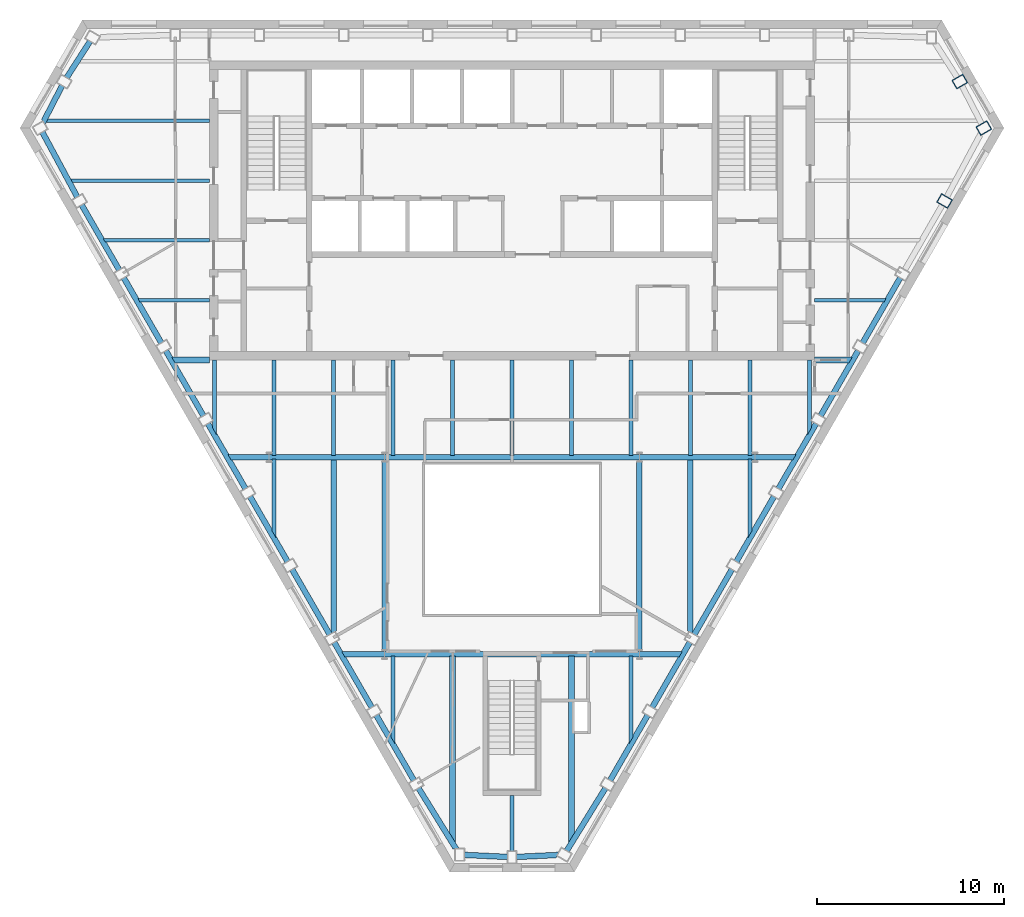
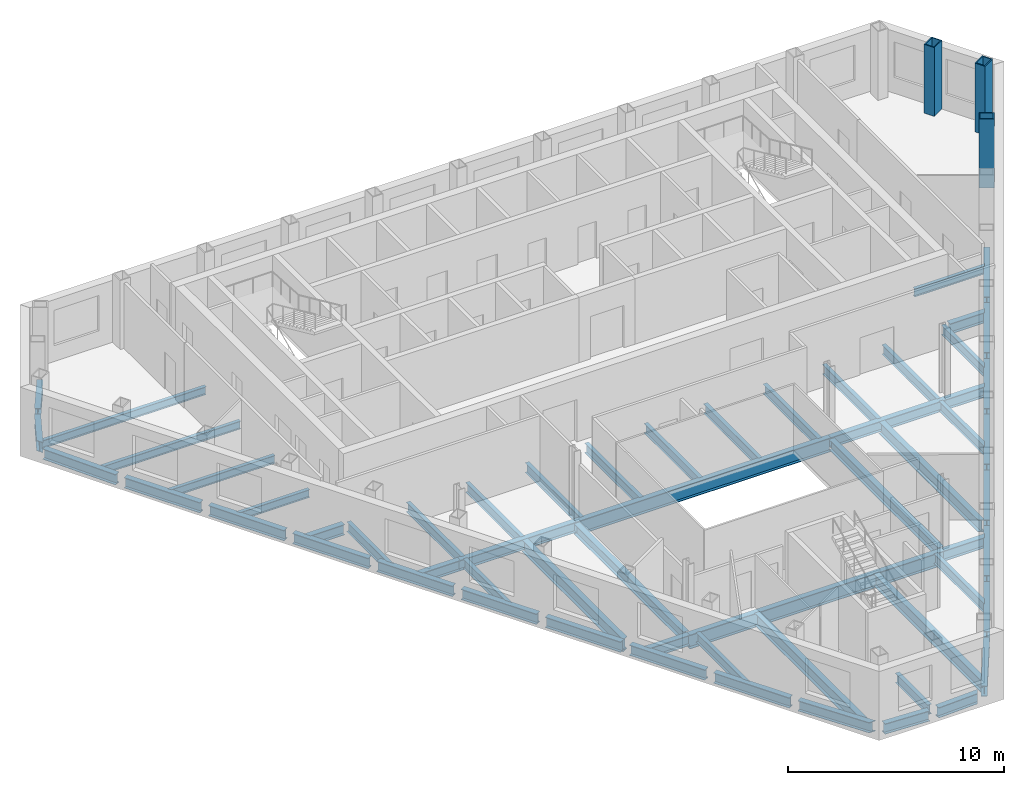
# One storey, part 2 of 10: 59 beams, 3 columns.
"""IFC4 building model written with IfcOpenShell, lengths in metres."""

from ifc_helpers import new_model, si_unit, direction, frame, origin, origin_2d, place, context, subcontext, project, spatial, hollow_rectangle, i_section, extrude, clip, halfspace, material, material_profile, profile_set, type_object, element, save


model = new_model("IFC4")

# Units and contexts
model_context = context("Model", 3, precision=1e-05, world=origin(), true_north=direction((0.0, 1.0)))
body_context = subcontext(model_context, "Body", "Model", "MODEL_VIEW")
ifc_project = project(units=[si_unit("LENGTHUNIT", "METRE"), si_unit("AREAUNIT", "SQUARE_METRE"), si_unit("VOLUMEUNIT", "CUBIC_METRE"), si_unit("PLANEANGLEUNIT", "RADIAN"), si_unit("MASSUNIT", "GRAM", prefix="KILO")], contexts=[model_context])

# Site, building, storey
site_placement = place(None, origin())
site = spatial("IfcSite", under=ifc_project, at=site_placement, CompositionType="ELEMENT")
building_placement = place(site_placement, origin())
building = spatial("IfcBuilding", under=site, at=building_placement, Name="Njiva Tower", CompositionType="ELEMENT")
storey_placement = place(building_placement, frame((0.0, 0.0, 231.6)))
storey = spatial("IfcBuildingStorey", under=building, at=storey_placement, Name="L52", CompositionType="ELEMENT", Elevation=231.6)

# Columns
ifc_material = material(Name="Steel S355 J2", Category="steel")
ifc_material_profile_1 = material_profile(ifc_material, hollow_rectangle(XDim=0.55, YDim=0.7, WallThickness=0.05, at=origin_2d()), Name="BOX 700x550x50")
ifc_profile_set_1 = profile_set([ifc_material_profile_1], Name="Steel S355 J2")
column_type = type_object("IfcColumnType", Name="C11 Perimeter tube column BOX 700x550x50", PredefinedType="COLUMN", material=ifc_profile_set_1)
for number, where, z_axis, x_axis, name in (
    (1, (23.158, 10.512, 0.0), (0.0, 0.0, 1.0), (0.5, 0.866025403784, 0.0), "Perimeter tube column S17-C34"),
    (2, (25.258, 14.415, 0.0), (0.0, 0.0, 1.0), (-0.5, 0.866025403784, 0.0), "Perimeter tube column S17-C35"),
    (3, (23.972, 16.907, 0.0), (0.0, 0.0, 1.0), (-0.5, 0.866025403784, 0.0), "Perimeter tube column S17-C36"),
):
    element("IfcColumn", number, at=place(storey_placement, frame(where, z_axis=z_axis, x_axis=x_axis)), inside=storey, type_object=column_type, Name=name, PredefinedType="COLUMN", context=body_context, shape_type="SweptSolid", body=[
        extrude(hollow_rectangle(XDim=0.55, YDim=0.7, WallThickness=0.05, at=origin_2d()), origin(), (0.0, 0.0, 1.0), 3.9),
    ])

# Beams
ifc_material_profile_2 = material_profile(ifc_material, i_section(OverallWidth=0.3, OverallDepth=0.69, WebThickness=0.0145, FlangeThickness=0.027, at=origin_2d()), Name="HEA 700")
ifc_profile_set_2 = profile_set([ifc_material_profile_2], Name="Steel S355 J2")
beam_type_1 = type_object("IfcBeamType", Name="B12 Long-span floor joist HEA 700", PredefinedType="JOIST", material=ifc_profile_set_2)
beam_1_placement = place(storey_placement, frame((-3.183, -13.85, -0.545), z_axis=(0.0, -1.0, 0.0), x_axis=(1.0, 0.0, 0.0)))
element("IfcBeam", 4, at=beam_1_placement, inside=storey, type_object=beam_type_1, Name="Long-span floor joist S17-B056", PredefinedType="JOIST", context=body_context, shape_type="Clipping", body=[
    clip(extrude(i_section(OverallWidth=0.3, OverallDepth=0.69, WebThickness=0.0145, FlangeThickness=0.027, at=origin_2d()), origin(), (0.0, 0.0, 1.0), 10.012), halfspace(frame((-0.0429, 0.0, 9.7533), z_axis=(-0.850615955969, 0.0, 0.525787500281), x_axis=(0.0, 1.0, 0.0)), False)),
])
beam_2_placement = place(storey_placement, frame((3.183, -13.85, -0.545), z_axis=(0.0, -1.0, 0.0), x_axis=(1.0, 0.0, 0.0)))
element("IfcBeam", 5, at=beam_2_placement, inside=storey, type_object=beam_type_1, Name="Long-span floor joist S17-B061", PredefinedType="JOIST", context=body_context, shape_type="Clipping", body=[
    clip(extrude(i_section(OverallWidth=0.3, OverallDepth=0.69, WebThickness=0.0145, FlangeThickness=0.027, at=origin_2d()), origin(), (0.0, 0.0, 1.0), 10.012), halfspace(frame((0.0429, 0.0, 9.7533), z_axis=(0.850615955969, 0.0, 0.525787500281), x_axis=(0.0, 1.0, 0.0)), False)),
])
ifc_material_profile_3 = material_profile(ifc_material, i_section(OverallWidth=0.3, OverallDepth=0.69, WebThickness=0.0145, FlangeThickness=0.027, at=origin_2d()), Name="HEA 700")
ifc_profile_set_3 = profile_set([ifc_material_profile_3], Name="Steel S355 J2")
beam_type_2 = type_object("IfcBeamType", Name="B26 Floor joist HEA 700", PredefinedType="JOIST", material=ifc_profile_set_3)
beam_3_placement = place(storey_placement, frame((-9.55, -3.3, -0.545), z_axis=(0.0, -1.0, 0.0), x_axis=(1.0, 0.0, 0.0)))
element("IfcBeam", 6, at=beam_3_placement, inside=storey, type_object=beam_type_2, Name="Floor joist S17-B052", PredefinedType="JOIST", context=body_context, shape_type="Clipping", body=[
    clip(extrude(i_section(OverallWidth=0.3, OverallDepth=0.69, WebThickness=0.0145, FlangeThickness=0.027, at=origin_2d()), origin(), (0.0, 0.0, 1.0), 9.375), halfspace(frame((0.025, 0.0, 9.28), z_axis=(0.499998009787, 0.0, 0.866026552831), x_axis=(0.0, 1.0, 0.0)), False)),
])
beam_4_placement = place(storey_placement, frame((9.55, -3.3, -0.545), z_axis=(0.0, -1.0, 0.0), x_axis=(1.0, 0.0, 0.0)))
element("IfcBeam", 7, at=beam_4_placement, inside=storey, type_object=beam_type_2, Name="Floor joist S17-B066", PredefinedType="JOIST", context=body_context, shape_type="Clipping", body=[
    clip(extrude(i_section(OverallWidth=0.3, OverallDepth=0.69, WebThickness=0.0145, FlangeThickness=0.027, at=origin_2d()), origin(), (0.0, 0.0, 1.0), 9.375), halfspace(frame((-0.025, 0.0, 9.28), z_axis=(-0.499998009787, 0.0, 0.866026552831), x_axis=(0.0, 1.0, 0.0)), False)),
])
ifc_material_profile_4 = material_profile(ifc_material, i_section(OverallWidth=0.3, OverallDepth=0.59, WebThickness=0.013, FlangeThickness=0.025, at=origin_2d()), Name="HEA 600")
ifc_profile_set_4 = profile_set([ifc_material_profile_4], Name="Steel S355 J2")
beam_type_3 = type_object("IfcBeamType", Name="B27 Short-span spandrel beam HEA 600", PredefinedType="SPANDREL", material=ifc_profile_set_4)
beam_5_placement = place(storey_placement, frame((-22.581, 19.072, -0.495), z_axis=(-0.540628086502, -0.841261714382, 0.0), x_axis=(0.841261714382, -0.540628086502, 0.0)))
element("IfcBeam", 8, at=beam_5_placement, inside=storey, type_object=beam_type_3, Name="Short-span spandrel beam S17-B082", PredefinedType="SPANDREL", context=body_context, shape_type="SweptSolid", body=[
    extrude(i_section(OverallWidth=0.3, OverallDepth=0.59, WebThickness=0.013, FlangeThickness=0.025, at=origin_2d()), origin(), (0.0, 0.0, 1.0), 2.3417),
])
beam_6_placement = place(storey_placement, frame((-24.078, 16.701, -0.495), z_axis=(-0.458367092714, -0.888762965203, 0.0), x_axis=(0.888762965203, -0.458367092714, 0.0)))
element("IfcBeam", 9, at=beam_6_placement, inside=storey, type_object=beam_type_3, Name="Short-span spandrel beam S17-B079", PredefinedType="SPANDREL", context=body_context, shape_type="Clipping", body=[
    clip(extrude(i_section(OverallWidth=0.3, OverallDepth=0.59, WebThickness=0.013, FlangeThickness=0.025, at=origin_2d()), origin(), (0.0, 0.0, 1.0), 2.3326), halfspace(frame((-0.0275, 0.0, 2.1989), z_axis=(-0.54050969293, 0.0, 0.841337787008), x_axis=(0.0, 1.0, 0.0)), False)),
])
beam_7_placement = place(storey_placement, frame((-25.149, 14.214, -0.495), z_axis=(0.473784701047, -0.880640708265, 0.0), x_axis=(0.880640708265, 0.473784701047, 0.0)))
element("IfcBeam", 10, at=beam_7_placement, inside=storey, type_object=beam_type_3, Name="Short-span spandrel beam S17-B078", PredefinedType="SPANDREL", context=body_context, shape_type="SweptSolid", body=[
    extrude(i_section(OverallWidth=0.3, OverallDepth=0.59, WebThickness=0.013, FlangeThickness=0.025, at=origin_2d()), origin(), (0.0, 0.0, 1.0), 3.9744),
])
for number, where, z_axis, x_axis, name in (
    (11, (-23.045, 10.317, -0.495), (0.499957196903, -0.866050114754, 0.0), (0.866050114754, 0.499957196903, 0.0), "Short-span spandrel beam S17-B083"),
    (12, (-20.792, 6.414, -0.495), (0.499957196903, -0.866050114754, 0.0), (0.866050114754, 0.499957196903, 0.0), "Short-span spandrel beam S17-B087"),
):
    element("IfcBeam", number, at=place(storey_placement, frame(where, z_axis=z_axis, x_axis=x_axis)), inside=storey, type_object=beam_type_3, Name=name, PredefinedType="SPANDREL", context=body_context, shape_type="SweptSolid", body=[
        extrude(i_section(OverallWidth=0.3, OverallDepth=0.59, WebThickness=0.013, FlangeThickness=0.025, at=origin_2d()), origin(), (0.0, 0.0, 1.0), 4.0563),
    ])
beam_8_placement = place(storey_placement, frame((-18.539, 2.511, -0.495), z_axis=(0.500063959222, -0.865988473761, 0.0), x_axis=(0.865988473761, 0.500063959222, 0.0)))
element("IfcBeam", 13, at=beam_8_placement, inside=storey, type_object=beam_type_3, Name="Short-span spandrel beam S17-B089", PredefinedType="SPANDREL", context=body_context, shape_type="SweptSolid", body=[
    extrude(i_section(OverallWidth=0.3, OverallDepth=0.59, WebThickness=0.013, FlangeThickness=0.025, at=origin_2d()), origin(), (0.0, 0.0, 1.0), 4.0555),
])
beam_9_placement = place(storey_placement, frame((-16.286, -1.391, -0.495), z_axis=(0.500142068684, -0.865943364853, 0.0), x_axis=(0.865943364853, 0.500142068684, 0.0)))
element("IfcBeam", 14, at=beam_9_placement, inside=storey, type_object=beam_type_3, Name="Short-span spandrel beam S17-B093", PredefinedType="SPANDREL", context=body_context, shape_type="SweptSolid", body=[
    extrude(i_section(OverallWidth=0.3, OverallDepth=0.59, WebThickness=0.013, FlangeThickness=0.025, at=origin_2d()), origin(), (0.0, 0.0, 1.0), 4.0568),
])
for number, where, z_axis, x_axis, name in (
    (15, (-14.032, -5.294, -0.495), (0.499957196903, -0.866050114754, 0.0), (0.866050114754, 0.499957196903, 0.0), "Short-span spandrel beam S17-B095"),
    (16, (-11.779, -9.197, -0.495), (0.499957196903, -0.866050114754, 0.0), (0.866050114754, 0.499957196903, 0.0), "Short-span spandrel beam S17-B098"),
):
    element("IfcBeam", number, at=place(storey_placement, frame(where, z_axis=z_axis, x_axis=x_axis)), inside=storey, type_object=beam_type_3, Name=name, PredefinedType="SPANDREL", context=body_context, shape_type="SweptSolid", body=[
        extrude(i_section(OverallWidth=0.3, OverallDepth=0.59, WebThickness=0.013, FlangeThickness=0.025, at=origin_2d()), origin(), (0.0, 0.0, 1.0), 4.0563),
    ])
beam_10_placement = place(storey_placement, frame((-9.526, -13.1, -0.495), z_axis=(0.500142068684, -0.865943364853, 0.0), x_axis=(0.865943364853, 0.500142068684, 0.0)))
element("IfcBeam", 17, at=beam_10_placement, inside=storey, type_object=beam_type_3, Name="Short-span spandrel beam S17-B100", PredefinedType="SPANDREL", context=body_context, shape_type="SweptSolid", body=[
    extrude(i_section(OverallWidth=0.3, OverallDepth=0.59, WebThickness=0.013, FlangeThickness=0.025, at=origin_2d()), origin(), (0.0, 0.0, 1.0), 4.0568),
])
beam_11_placement = place(storey_placement, frame((-7.272, -17.003, -0.495), z_axis=(0.499957196903, -0.866050114754, 0.0), x_axis=(0.866050114754, 0.499957196903, 0.0)))
element("IfcBeam", 18, at=beam_11_placement, inside=storey, type_object=beam_type_3, Name="Short-span spandrel beam S17-B103", PredefinedType="SPANDREL", context=body_context, shape_type="SweptSolid", body=[
    extrude(i_section(OverallWidth=0.3, OverallDepth=0.59, WebThickness=0.013, FlangeThickness=0.025, at=origin_2d()), origin(), (0.0, 0.0, 1.0), 4.0563),
])
beam_12_placement = place(storey_placement, frame((-5.011, -20.906, -0.495), z_axis=(0.525835767898, -0.850586118626, 0.0), x_axis=(0.850586118626, 0.525835767898, 0.0)))
element("IfcBeam", 19, at=beam_12_placement, inside=storey, type_object=beam_type_3, Name="Short-span spandrel beam S17-B105", PredefinedType="SPANDREL", context=body_context, shape_type="Clipping", body=[
    clip(extrude(i_section(OverallWidth=0.3, OverallDepth=0.59, WebThickness=0.013, FlangeThickness=0.025, at=origin_2d()), origin(), (0.0, 0.0, 1.0), 3.9621), halfspace(frame((-0.0263, 0.0, 3.8329), z_axis=(-0.525835767898, 0.0, 0.850586118626), x_axis=(0.0, 1.0, 0.0)), False)),
])
beam_13_placement = place(storey_placement, frame((-2.57, -24.491, -0.495), z_axis=(0.998855542787, -0.047828910129, 0.0), x_axis=(0.047828910129, 0.998855542787, 0.0)))
element("IfcBeam", 20, at=beam_13_placement, inside=storey, type_object=beam_type_3, Name="Short-span spandrel beam S17-B109", PredefinedType="SPANDREL", context=body_context, shape_type="SweptSolid", body=[
    extrude(i_section(OverallWidth=0.3, OverallDepth=0.59, WebThickness=0.013, FlangeThickness=0.025, at=origin_2d()), origin(), (0.0, 0.0, 1.0), 2.3417),
])
beam_14_placement = place(storey_placement, frame((0.231, -24.603, -0.495), z_axis=(0.99885585607, 0.047822367093, 0.0), x_axis=(-0.047822367093, 0.99885585607, 0.0)))
element("IfcBeam", 21, at=beam_14_placement, inside=storey, type_object=beam_type_3, Name="Short-span spandrel beam S17-B111", PredefinedType="SPANDREL", context=body_context, shape_type="Clipping", body=[
    clip(extrude(i_section(OverallWidth=0.3, OverallDepth=0.59, WebThickness=0.013, FlangeThickness=0.025, at=origin_2d()), origin(), (0.0, 0.0, 1.0), 2.3325), halfspace(frame((-0.0274, 0.0, 2.1987), z_axis=(-0.540841379821, 0.0, 0.841124605438), x_axis=(0.0, 1.0, 0.0)), False)),
])
beam_15_placement = place(storey_placement, frame((2.922, -24.286, -0.495), z_axis=(0.525739328555, 0.850645730261, 0.0), x_axis=(-0.850645730261, 0.525739328555, 0.0)))
element("IfcBeam", 22, at=beam_15_placement, inside=storey, type_object=beam_type_3, Name="Short-span spandrel beam S17-B114", PredefinedType="SPANDREL", context=body_context, shape_type="SweptSolid", body=[
    extrude(i_section(OverallWidth=0.3, OverallDepth=0.59, WebThickness=0.013, FlangeThickness=0.025, at=origin_2d()), origin(), (0.0, 0.0, 1.0), 3.9735),
])
beam_16_placement = place(storey_placement, frame((5.244, -20.516, -0.495), z_axis=(0.499957196903, 0.866050114754, 0.0), x_axis=(-0.866050114754, 0.499957196903, 0.0)))
element("IfcBeam", 23, at=beam_16_placement, inside=storey, type_object=beam_type_3, Name="Short-span spandrel beam S17-B117", PredefinedType="SPANDREL", context=body_context, shape_type="SweptSolid", body=[
    extrude(i_section(OverallWidth=0.3, OverallDepth=0.59, WebThickness=0.013, FlangeThickness=0.025, at=origin_2d()), origin(), (0.0, 0.0, 1.0), 4.0563),
])
beam_17_placement = place(storey_placement, frame((7.497, -16.613, -0.495), z_axis=(0.500142068684, 0.865943364853, 0.0), x_axis=(-0.865943364853, 0.500142068684, 0.0)))
element("IfcBeam", 24, at=beam_17_placement, inside=storey, type_object=beam_type_3, Name="Short-span spandrel beam S17-B119", PredefinedType="SPANDREL", context=body_context, shape_type="SweptSolid", body=[
    extrude(i_section(OverallWidth=0.3, OverallDepth=0.59, WebThickness=0.013, FlangeThickness=0.025, at=origin_2d()), origin(), (0.0, 0.0, 1.0), 4.0568),
])
for number, where, z_axis, x_axis, name in (
    (25, (9.751, -12.71, -0.495), (0.499957196903, 0.866050114754, 0.0), (-0.866050114754, 0.499957196903, 0.0), "Short-span spandrel beam S17-B122"),
    (26, (12.004, -8.807, -0.495), (0.499957196903, 0.866050114754, 0.0), (-0.866050114754, 0.499957196903, 0.0), "Short-span spandrel beam S17-B124"),
):
    element("IfcBeam", number, at=place(storey_placement, frame(where, z_axis=z_axis, x_axis=x_axis)), inside=storey, type_object=beam_type_3, Name=name, PredefinedType="SPANDREL", context=body_context, shape_type="SweptSolid", body=[
        extrude(i_section(OverallWidth=0.3, OverallDepth=0.59, WebThickness=0.013, FlangeThickness=0.025, at=origin_2d()), origin(), (0.0, 0.0, 1.0), 4.0563),
    ])
beam_18_placement = place(storey_placement, frame((14.257, -4.904, -0.495), z_axis=(0.500142068684, 0.865943364853, 0.0), x_axis=(-0.865943364853, 0.500142068684, 0.0)))
element("IfcBeam", 27, at=beam_18_placement, inside=storey, type_object=beam_type_3, Name="Short-span spandrel beam S17-B128", PredefinedType="SPANDREL", context=body_context, shape_type="SweptSolid", body=[
    extrude(i_section(OverallWidth=0.3, OverallDepth=0.59, WebThickness=0.013, FlangeThickness=0.025, at=origin_2d()), origin(), (0.0, 0.0, 1.0), 4.0568),
])
beam_19_placement = place(storey_placement, frame((16.511, -1.001, -0.495), z_axis=(0.500063959222, 0.865988473761, 0.0), x_axis=(-0.865988473761, 0.500063959222, 0.0)))
element("IfcBeam", 28, at=beam_19_placement, inside=storey, type_object=beam_type_3, Name="Short-span spandrel beam S17-B130", PredefinedType="SPANDREL", context=body_context, shape_type="SweptSolid", body=[
    extrude(i_section(OverallWidth=0.3, OverallDepth=0.59, WebThickness=0.013, FlangeThickness=0.025, at=origin_2d()), origin(), (0.0, 0.0, 1.0), 4.0555),
])
beam_20_placement = place(storey_placement, frame((18.764, 2.901, -0.495), z_axis=(0.499957196903, 0.866050114754, 0.0), x_axis=(-0.866050114754, 0.499957196903, 0.0)))
element("IfcBeam", 29, at=beam_20_placement, inside=storey, type_object=beam_type_3, Name="Short-span spandrel beam S17-B134", PredefinedType="SPANDREL", context=body_context, shape_type="SweptSolid", body=[
    extrude(i_section(OverallWidth=0.3, OverallDepth=0.59, WebThickness=0.013, FlangeThickness=0.025, at=origin_2d()), origin(), (0.0, 0.0, 1.0), 4.0563),
])
ifc_material_profile_5 = material_profile(ifc_material, i_section(OverallWidth=0.3, OverallDepth=0.59, WebThickness=0.013, FlangeThickness=0.025, at=origin_2d()), Name="HEA 600")
ifc_profile_set_5 = profile_set([ifc_material_profile_5], Name="Steel S355 J2")
beam_type_4 = type_object("IfcBeamType", Name="B28 Floor girder HEA 600", PredefinedType="BEAM", material=ifc_profile_set_5)
for number, where, z_axis, x_axis, name in (
    (30, (-13.0, -3.2, -0.495), (1.0, 0.0, 0.0), (0.0, 1.0, 0.0), "Floor girder S17-B013"),
    (31, (6.82, -3.2, -0.495), (1.0, 0.0, 0.0), (0.0, 1.0, 0.0), "Floor girder S17-B016"),
):
    element("IfcBeam", number, at=place(storey_placement, frame(where, z_axis=z_axis, x_axis=x_axis)), inside=storey, type_object=beam_type_4, Name=name, PredefinedType="BEAM", context=body_context, shape_type="SweptSolid", body=[
        extrude(i_section(OverallWidth=0.3, OverallDepth=0.59, WebThickness=0.013, FlangeThickness=0.025, at=origin_2d()), origin(), (0.0, 0.0, 1.0), 6.18),
    ])
ifc_material_profile_6 = material_profile(ifc_material, i_section(OverallWidth=0.3, OverallDepth=0.59, WebThickness=0.013, FlangeThickness=0.025, at=origin_2d()), Name="HEA 600")
ifc_profile_set_6 = profile_set([ifc_material_profile_6], Name="Steel S355 J2")
beam_type_5 = type_object("IfcBeamType", Name="B29 Short-span floor girder HEA 600", PredefinedType="BEAM", material=ifc_profile_set_6)
beam_21_placement = place(storey_placement, frame((-15.233, -3.2, -0.495), z_axis=(1.0, 0.0, 0.0), x_axis=(0.0, 1.0, 0.0)))
element("IfcBeam", 32, at=beam_21_placement, inside=storey, type_object=beam_type_5, Name="Short-span floor girder S17-B012", PredefinedType="BEAM", context=body_context, shape_type="Clipping", body=[
    clip(extrude(i_section(OverallWidth=0.3, OverallDepth=0.59, WebThickness=0.013, FlangeThickness=0.025, at=origin_2d()), origin(), (0.0, 0.0, 1.0), 2.233), halfspace(frame((-0.025, 0.0, 0.1217), z_axis=(-0.499998009787, 0.0, -0.866026552831), x_axis=(0.0, -1.0, 0.0)), False)),
])
beam_22_placement = place(storey_placement, frame((13.0, -3.2, -0.495), z_axis=(1.0, 0.0, 0.0), x_axis=(0.0, 1.0, 0.0)))
element("IfcBeam", 33, at=beam_22_placement, inside=storey, type_object=beam_type_5, Name="Short-span floor girder S17-B017", PredefinedType="BEAM", context=body_context, shape_type="Clipping", body=[
    clip(extrude(i_section(OverallWidth=0.3, OverallDepth=0.59, WebThickness=0.013, FlangeThickness=0.025, at=origin_2d()), origin(), (0.0, 0.0, 1.0), 2.233), halfspace(frame((-0.025, 0.0, 2.1113), z_axis=(-0.499998009787, 0.0, 0.866026552831), x_axis=(0.0, 1.0, 0.0)), False)),
])
beam_23_placement = place(storey_placement, frame((-9.142, -13.75, -0.495), z_axis=(1.0, 0.0, 0.0), x_axis=(0.0, 1.0, 0.0)))
element("IfcBeam", 34, at=beam_23_placement, inside=storey, type_object=beam_type_5, Name="Short-span floor girder S17-B014", PredefinedType="BEAM", context=body_context, shape_type="Clipping", body=[
    clip(extrude(i_section(OverallWidth=0.3, OverallDepth=0.59, WebThickness=0.013, FlangeThickness=0.025, at=origin_2d()), origin(), (0.0, 0.0, 1.0), 2.322), halfspace(frame((-0.025, 0.0, 0.1217), z_axis=(-0.499998009787, 0.0, -0.866026552831), x_axis=(0.0, -1.0, 0.0)), False)),
])
beam_24_placement = place(storey_placement, frame((6.82, -13.75, -0.495), z_axis=(1.0, 0.0, 0.0), x_axis=(0.0, 1.0, 0.0)))
element("IfcBeam", 35, at=beam_24_placement, inside=storey, type_object=beam_type_5, Name="Short-span floor girder S17-B015", PredefinedType="BEAM", context=body_context, shape_type="Clipping", body=[
    clip(extrude(i_section(OverallWidth=0.3, OverallDepth=0.59, WebThickness=0.013, FlangeThickness=0.025, at=origin_2d()), origin(), (0.0, 0.0, 1.0), 2.322), halfspace(frame((-0.025, 0.0, 2.2003), z_axis=(-0.499998009787, 0.0, 0.866026552831), x_axis=(0.0, 1.0, 0.0)), False)),
])
beam_25_placement = place(storey_placement, frame((-18.235, 2.0, -0.495), z_axis=(1.0, 0.0, 0.0), x_axis=(0.0, 1.0, 0.0)))
element("IfcBeam", 36, at=beam_25_placement, inside=storey, type_object=beam_type_5, Name="Short-span floor girder S17-B011", PredefinedType="BEAM", context=body_context, shape_type="Clipping", body=[
    clip(extrude(i_section(OverallWidth=0.3, OverallDepth=0.59, WebThickness=0.013, FlangeThickness=0.025, at=origin_2d()), origin(), (0.0, 0.0, 1.0), 2.035), halfspace(frame((-0.025, 0.0, 0.1214), z_axis=(-0.499998009787, 0.0, -0.866026552831), x_axis=(0.0, -1.0, 0.0)), False)),
])
beam_26_placement = place(storey_placement, frame((16.2, 2.0, -0.495), z_axis=(1.0, 0.0, 0.0), x_axis=(0.0, 1.0, 0.0)))
element("IfcBeam", 37, at=beam_26_placement, inside=storey, type_object=beam_type_5, Name="Short-span floor girder S17-B018", PredefinedType="BEAM", context=body_context, shape_type="Clipping", body=[
    clip(extrude(i_section(OverallWidth=0.3, OverallDepth=0.59, WebThickness=0.013, FlangeThickness=0.025, at=origin_2d()), origin(), (0.0, 0.0, 1.0), 2.035), halfspace(frame((-0.025, 0.0, 1.9136), z_axis=(-0.499998009787, 0.0, 0.866026552831), x_axis=(0.0, 1.0, 0.0)), False)),
])
ifc_material_profile_7 = material_profile(ifc_material, i_section(OverallWidth=0.3, OverallDepth=0.59, WebThickness=0.013, FlangeThickness=0.025, at=origin_2d()), Name="HEA 600")
ifc_profile_set_7 = profile_set([ifc_material_profile_7], Name="Steel S355 J2")
beam_type_6 = type_object("IfcBeamType", Name="B30 Long-span atrium trimmer beam HEA 600", PredefinedType="BEAM", material=ifc_profile_set_7)
for number, where, z_axis, x_axis, name in (
    (38, (6.82, -13.538, -0.495), (0.0, 1.0, 0.0), (-1.0, 0.0, 0.0), "Long-span atrium trimmer beam S17-B076"),
    (39, (-6.82, -3.412, -0.495), (0.0, -1.0, 0.0), (1.0, 0.0, 0.0), "Long-span atrium trimmer beam S17-B073"),
):
    element("IfcBeam", number, at=place(storey_placement, frame(where, z_axis=z_axis, x_axis=x_axis)), inside=storey, type_object=beam_type_6, Name=name, PredefinedType="BEAM", context=body_context, shape_type="SweptSolid", body=[
        extrude(i_section(OverallWidth=0.3, OverallDepth=0.59, WebThickness=0.013, FlangeThickness=0.025, at=origin_2d()), origin(), (0.0, 0.0, 1.0), 10.126),
    ])
ifc_material_profile_8 = material_profile(ifc_material, i_section(OverallWidth=0.21, OverallDepth=0.55, WebThickness=0.0111, FlangeThickness=0.0172, at=origin_2d()), Name="IPE 550")
ifc_profile_set_8 = profile_set([ifc_material_profile_8], Name="Steel S355 J2")
beam_type_7 = type_object("IfcBeamType", Name="B31 Short-span floor joist IPE 550", PredefinedType="JOIST", material=ifc_profile_set_8)
beam_27_placement = place(storey_placement, frame((-15.917, 1.995, -0.475), z_axis=(0.0, -1.0, 0.0), x_axis=(1.0, 0.0, 0.0)))
element("IfcBeam", 40, at=beam_27_placement, inside=storey, type_object=beam_type_7, Name="Short-span floor joist S17-B048", PredefinedType="JOIST", context=body_context, shape_type="Clipping", body=[
    clip(extrude(i_section(OverallWidth=0.21, OverallDepth=0.55, WebThickness=0.0111, FlangeThickness=0.0172, at=origin_2d()), origin(), (0.0, 0.0, 1.0), 4.027), halfspace(frame((-0.043, 0.0, 3.7501), z_axis=(-0.866026552831, 0.0, 0.499998009787), x_axis=(0.0, 1.0, 0.0)), False)),
])
beam_28_placement = place(storey_placement, frame((-12.733, -3.3, -0.475), z_axis=(0.0, -1.0, 0.0), x_axis=(1.0, 0.0, 0.0)))
element("IfcBeam", 41, at=beam_28_placement, inside=storey, type_object=beam_type_7, Name="Short-span floor joist S17-B049", PredefinedType="JOIST", context=body_context, shape_type="Clipping", body=[
    clip(extrude(i_section(OverallWidth=0.21, OverallDepth=0.55, WebThickness=0.0111, FlangeThickness=0.0172, at=origin_2d()), origin(), (0.0, 0.0, 1.0), 4.246), halfspace(frame((-0.0436, 0.0, 3.9688), z_axis=(-0.866026552831, 0.0, 0.499998009787), x_axis=(0.0, 1.0, 0.0)), False)),
])
beam_29_placement = place(storey_placement, frame((0.0, -21.3, -0.475), z_axis=(0.0, -1.0, 0.0), x_axis=(1.0, 0.0, 0.0)))
element("IfcBeam", 42, at=beam_29_placement, inside=storey, type_object=beam_type_7, Name="Short-span floor joist S17-B059", PredefinedType="JOIST", context=body_context, shape_type="SweptSolid", body=[
    extrude(i_section(OverallWidth=0.21, OverallDepth=0.55, WebThickness=0.0111, FlangeThickness=0.0172, at=origin_2d()), origin(), (0.0, 0.0, 1.0), 3.014),
])
beam_30_placement = place(storey_placement, frame((12.733, -3.3, -0.475), z_axis=(0.0, -1.0, 0.0), x_axis=(1.0, 0.0, 0.0)))
element("IfcBeam", 43, at=beam_30_placement, inside=storey, type_object=beam_type_7, Name="Short-span floor joist S17-B068", PredefinedType="JOIST", context=body_context, shape_type="Clipping", body=[
    clip(extrude(i_section(OverallWidth=0.21, OverallDepth=0.55, WebThickness=0.0111, FlangeThickness=0.0172, at=origin_2d()), origin(), (0.0, 0.0, 1.0), 4.246), halfspace(frame((0.0436, 0.0, 3.9688), z_axis=(0.866026552831, 0.0, 0.499998009787), x_axis=(0.0, 1.0, 0.0)), False)),
])
beam_31_placement = place(storey_placement, frame((15.917, 1.995, -0.475), z_axis=(0.0, -1.0, 0.0), x_axis=(1.0, 0.0, 0.0)))
element("IfcBeam", 44, at=beam_31_placement, inside=storey, type_object=beam_type_7, Name="Short-span floor joist S17-B070", PredefinedType="JOIST", context=body_context, shape_type="Clipping", body=[
    clip(extrude(i_section(OverallWidth=0.21, OverallDepth=0.55, WebThickness=0.0111, FlangeThickness=0.0172, at=origin_2d()), origin(), (0.0, 0.0, 1.0), 4.027), halfspace(frame((0.043, 0.0, 3.7501), z_axis=(0.866026552831, 0.0, 0.499998009787), x_axis=(0.0, 1.0, 0.0)), False)),
])
ifc_material_profile_9 = material_profile(ifc_material, i_section(OverallWidth=0.21, OverallDepth=0.55, WebThickness=0.0111, FlangeThickness=0.0172, at=origin_2d()), Name="IPE 550")
ifc_profile_set_9 = profile_set([ifc_material_profile_9], Name="Steel S355 J2")
beam_type_8 = type_object("IfcBeamType", Name="B32 Floor joist IPE 550", PredefinedType="JOIST", material=ifc_profile_set_9)
for number, where, z_axis, x_axis, name in (
    (45, (-12.733, 1.995, -0.475), (0.0, -1.0, 0.0), (1.0, 0.0, 0.0), "Floor joist S17-B050"),
    (46, (-9.55, 1.995, -0.475), (0.0, -1.0, 0.0), (1.0, 0.0, 0.0), "Floor joist S17-B053"),
    (47, (-6.367, 1.995, -0.475), (0.0, -1.0, 0.0), (1.0, 0.0, 0.0), "Floor joist S17-B055"),
):
    element("IfcBeam", number, at=place(storey_placement, frame(where, z_axis=z_axis, x_axis=x_axis)), inside=storey, type_object=beam_type_8, Name=name, PredefinedType="JOIST", context=body_context, shape_type="SweptSolid", body=[
        extrude(i_section(OverallWidth=0.21, OverallDepth=0.55, WebThickness=0.0111, FlangeThickness=0.0172, at=origin_2d()), origin(), (0.0, 0.0, 1.0), 5.095),
    ])
beam_32_placement = place(storey_placement, frame((-6.367, -13.85, -0.475), z_axis=(0.0, -1.0, 0.0), x_axis=(1.0, 0.0, 0.0)))
element("IfcBeam", 48, at=beam_32_placement, inside=storey, type_object=beam_type_8, Name="Floor joist S17-B054", PredefinedType="JOIST", context=body_context, shape_type="Clipping", body=[
    clip(extrude(i_section(OverallWidth=0.21, OverallDepth=0.55, WebThickness=0.0111, FlangeThickness=0.0172, at=origin_2d()), origin(), (0.0, 0.0, 1.0), 4.723), halfspace(frame((-0.043, 0.0, 4.4462), z_axis=(-0.866026552831, 0.0, 0.499998009787), x_axis=(0.0, 1.0, 0.0)), False)),
])
for number, where, z_axis, x_axis, name in (
    (49, (-3.183, 1.995, -0.475), (0.0, -1.0, 0.0), (1.0, 0.0, 0.0), "Floor joist S17-B057"),
    (50, (0.0, 1.995, -0.475), (0.0, -1.0, 0.0), (1.0, 0.0, 0.0), "Floor joist S17-B060"),
    (51, (3.183, 1.995, -0.475), (0.0, -1.0, 0.0), (1.0, 0.0, 0.0), "Floor joist S17-B062"),
    (52, (6.367, 1.995, -0.475), (0.0, -1.0, 0.0), (1.0, 0.0, 0.0), "Floor joist S17-B064"),
):
    element("IfcBeam", number, at=place(storey_placement, frame(where, z_axis=z_axis, x_axis=x_axis)), inside=storey, type_object=beam_type_8, Name=name, PredefinedType="JOIST", context=body_context, shape_type="SweptSolid", body=[
        extrude(i_section(OverallWidth=0.21, OverallDepth=0.55, WebThickness=0.0111, FlangeThickness=0.0172, at=origin_2d()), origin(), (0.0, 0.0, 1.0), 5.095),
    ])
beam_33_placement = place(storey_placement, frame((6.367, -13.85, -0.475), z_axis=(0.0, -1.0, 0.0), x_axis=(1.0, 0.0, 0.0)))
element("IfcBeam", 53, at=beam_33_placement, inside=storey, type_object=beam_type_8, Name="Floor joist S17-B063", PredefinedType="JOIST", context=body_context, shape_type="Clipping", body=[
    clip(extrude(i_section(OverallWidth=0.21, OverallDepth=0.55, WebThickness=0.0111, FlangeThickness=0.0172, at=origin_2d()), origin(), (0.0, 0.0, 1.0), 4.723), halfspace(frame((0.043, 0.0, 4.4462), z_axis=(0.866026552831, 0.0, 0.499998009787), x_axis=(0.0, 1.0, 0.0)), False)),
])
for number, where, z_axis, x_axis, name in (
    (54, (9.55, 1.995, -0.475), (0.0, -1.0, 0.0), (1.0, 0.0, 0.0), "Floor joist S17-B067"),
    (55, (12.733, 1.995, -0.475), (0.0, -1.0, 0.0), (1.0, 0.0, 0.0), "Floor joist S17-B069"),
):
    element("IfcBeam", number, at=place(storey_placement, frame(where, z_axis=z_axis, x_axis=x_axis)), inside=storey, type_object=beam_type_8, Name=name, PredefinedType="JOIST", context=body_context, shape_type="SweptSolid", body=[
        extrude(i_section(OverallWidth=0.21, OverallDepth=0.55, WebThickness=0.0111, FlangeThickness=0.0172, at=origin_2d()), origin(), (0.0, 0.0, 1.0), 5.095),
    ])
ifc_material_profile_10 = material_profile(ifc_material, i_section(OverallWidth=0.19, OverallDepth=0.45, WebThickness=0.0094, FlangeThickness=0.0146, at=origin_2d()), Name="IPE 450")
ifc_profile_set_10 = profile_set([ifc_material_profile_10], Name="Steel S355 J2")
beam_type_9 = type_object("IfcBeamType", Name="B37 Floor beam to the core IPE 450", PredefinedType="BEAM", material=ifc_profile_set_10)
beam_34_placement = place(storey_placement, frame((-21.898, 8.4, -0.425), z_axis=(1.0, 0.0, 0.0), x_axis=(0.0, 1.0, 0.0)))
element("IfcBeam", 56, at=beam_34_placement, inside=storey, type_object=beam_type_9, Name="Floor beam to the core S17-B004", PredefinedType="BEAM", context=body_context, shape_type="Clipping", body=[
    clip(extrude(i_section(OverallWidth=0.19, OverallDepth=0.45, WebThickness=0.0094, FlangeThickness=0.0146, at=origin_2d()), origin(), (0.0, 0.0, 1.0), 5.698), halfspace(frame((-0.025, 0.0, 0.0894), z_axis=(-0.499998009787, 0.0, -0.866026552831), x_axis=(0.0, -1.0, 0.0)), False)),
])
beam_35_placement = place(storey_placement, frame((-23.701, 11.6, -0.425), z_axis=(1.0, 0.0, 0.0), x_axis=(0.0, 1.0, 0.0)))
element("IfcBeam", 57, at=beam_35_placement, inside=storey, type_object=beam_type_9, Name="Floor beam to the core S17-B002", PredefinedType="BEAM", context=body_context, shape_type="Clipping", body=[
    clip(extrude(i_section(OverallWidth=0.19, OverallDepth=0.45, WebThickness=0.0094, FlangeThickness=0.0146, at=origin_2d()), origin(), (0.0, 0.0, 1.0), 7.501), halfspace(frame((-0.0237, 0.0, 0.0841), z_axis=(-0.47376166762, 0.0, -0.88065309986), x_axis=(0.0, -1.0, 0.0)), False)),
])
beam_36_placement = place(storey_placement, frame((-25.015, 14.8, -0.425), z_axis=(1.0, 0.0, 0.0), x_axis=(0.0, 1.0, 0.0)))
element("IfcBeam", 58, at=beam_36_placement, inside=storey, type_object=beam_type_9, Name="Floor beam to the core S17-B001", PredefinedType="BEAM", context=body_context, shape_type="Clipping", body=[
    clip(extrude(i_section(OverallWidth=0.19, OverallDepth=0.45, WebThickness=0.0094, FlangeThickness=0.0146, at=origin_2d()), origin(), (0.0, 0.0, 1.0), 8.815), halfspace(frame((0.0229, 0.0, 0.0804), z_axis=(0.458330853115, 0.0, -0.888781654335), x_axis=(0.0, -1.0, 0.0)), False)),
])
ifc_material_profile_11 = material_profile(ifc_material, i_section(OverallWidth=0.19, OverallDepth=0.45, WebThickness=0.0094, FlangeThickness=0.0146, at=origin_2d()), Name="IPE 450")
ifc_profile_set_11 = profile_set([ifc_material_profile_11], Name="Steel S355 J2")
beam_type_10 = type_object("IfcBeamType", Name="B38 Short-span floor beam to the core IPE 450", PredefinedType="BEAM", material=ifc_profile_set_11)
beam_37_placement = place(storey_placement, frame((-20.051, 5.2, -0.425), z_axis=(1.0, 0.0, 0.0), x_axis=(0.0, 1.0, 0.0)))
element("IfcBeam", 59, at=beam_37_placement, inside=storey, type_object=beam_type_10, Name="Short-span floor beam to the core S17-B005", PredefinedType="BEAM", context=body_context, shape_type="Clipping", body=[
    clip(extrude(i_section(OverallWidth=0.19, OverallDepth=0.45, WebThickness=0.0094, FlangeThickness=0.0146, at=origin_2d()), origin(), (0.0, 0.0, 1.0), 3.851), halfspace(frame((-0.025, 0.0, 0.0899), z_axis=(-0.499998009787, 0.0, -0.866026552831), x_axis=(0.0, -1.0, 0.0)), False)),
])
beam_38_placement = place(storey_placement, frame((16.2, 5.2, -0.425), z_axis=(1.0, 0.0, 0.0), x_axis=(0.0, 1.0, 0.0)))
element("IfcBeam", 60, at=beam_38_placement, inside=storey, type_object=beam_type_10, Name="Short-span floor beam to the core S17-B006", PredefinedType="BEAM", context=body_context, shape_type="Clipping", body=[
    clip(extrude(i_section(OverallWidth=0.19, OverallDepth=0.45, WebThickness=0.0094, FlangeThickness=0.0146, at=origin_2d()), origin(), (0.0, 0.0, 1.0), 3.851), halfspace(frame((-0.025, 0.0, 3.7611), z_axis=(-0.499998009787, 0.0, 0.866026552831), x_axis=(0.0, 1.0, 0.0)), False)),
])
ifc_material_profile_12 = material_profile(ifc_material, i_section(OverallWidth=0.3, OverallDepth=0.79, WebThickness=0.015, FlangeThickness=0.028, at=origin_2d()), Name="HEA 800")
ifc_profile_set_12 = profile_set([ifc_material_profile_12], Name="Steel S355 J2")
beam_type_11 = type_object("IfcBeamType", Name="B9 Long-span atrium trimmer beam HEA 800", PredefinedType="BEAM", material=ifc_profile_set_12)
for number, where, z_axis, x_axis, name in (
    (61, (-6.82, -13.75, -0.595), (1.0, 0.0, 0.0), (0.0, 1.0, 0.0), "Long-span atrium trimmer beam S17-B072"),
    (62, (6.82, -3.2, -0.595), (-1.0, 0.0, 0.0), (0.0, -1.0, 0.0), "Long-span atrium trimmer beam S17-B074"),
):
    element("IfcBeam", number, at=place(storey_placement, frame(where, z_axis=z_axis, x_axis=x_axis)), inside=storey, type_object=beam_type_11, Name=name, PredefinedType="BEAM", context=body_context, shape_type="SweptSolid", body=[
        extrude(i_section(OverallWidth=0.3, OverallDepth=0.79, WebThickness=0.015, FlangeThickness=0.028, at=origin_2d()), origin(), (0.0, 0.0, 1.0), 13.64),
    ])

save(model, "model.ifc")
